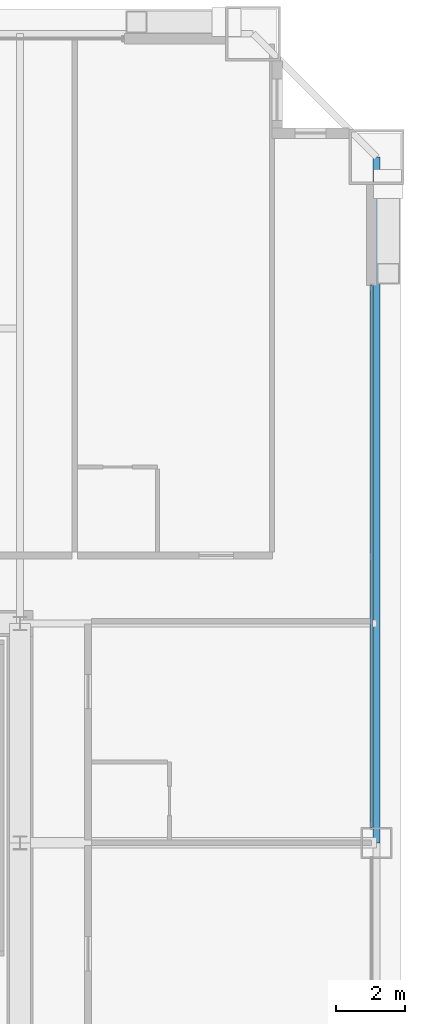
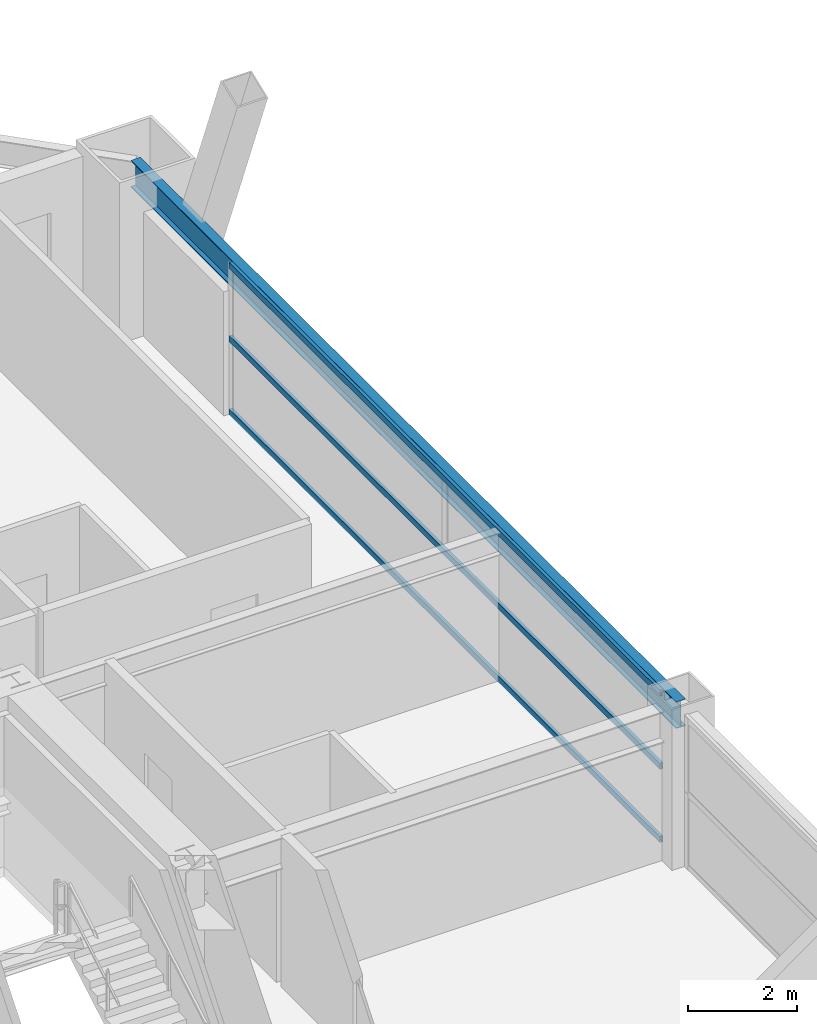
# One storey, part 32 of 42: 3 members, 1 beam, 1 element without a shape of its own.
"""IFC4 building model written with IfcOpenShell, lengths in metres."""

from ifc_helpers import new_model, si_unit, direction, frame, origin, origin_2d, place, context, subcontext, project, spatial, hollow_rectangle, i_section, extrude, source, transform, mapped, material, layer, layer_set, material_profile, profile_set, type_object, element, aggregate, save


model = new_model("IFC4")

# Units and contexts
model_context = context("Model", 3, precision=1e-05, world=origin(), true_north=direction((0.0, 1.0)))
body_context = subcontext(model_context, "Body", "Model", "MODEL_VIEW")
ifc_project = project(units=[si_unit("LENGTHUNIT", "METRE"), si_unit("AREAUNIT", "SQUARE_METRE"), si_unit("VOLUMEUNIT", "CUBIC_METRE"), si_unit("PLANEANGLEUNIT", "RADIAN"), si_unit("MASSUNIT", "GRAM", prefix="KILO"), si_unit("THERMODYNAMICTEMPERATUREUNIT", "KELVIN"), si_unit("POWERUNIT", "WATT")], contexts=[model_context])

# Site, building, storey
site_placement = place(None, origin())
site = spatial("IfcSite", under=ifc_project, at=site_placement, CompositionType="ELEMENT")
building_placement = place(site_placement, origin())
building = spatial("IfcBuilding", under=site, at=building_placement, Name="Yuzanri Waterfront Tower", CompositionType="ELEMENT")
storey_placement = place(building_placement, frame((0.0, 0.0, 145.199951171875)))
storey = spatial("IfcBuildingStorey", under=building, at=storey_placement, Name="L38", CompositionType="ELEMENT", Elevation=145.199951171875)

# Beam
ifc_material_1 = material(Name="Steel Q355B", Category="steel")
ifc_material_profile_1 = material_profile(ifc_material_1, i_section(OverallWidth=0.199951171875, OverallDepth=0.60009765625, WebThickness=0.010986328125, FlangeThickness=0.01708984375, at=origin_2d()), Name="HN 600x200x11x17")
ifc_profile_set_1 = profile_set([ifc_material_profile_1], Name="Steel Q355B")
beam_type = type_object("IfcBeamType", Name="Perimeter Spandrel Q355B HN 600x200", PredefinedType="SPANDREL", material=ifc_profile_set_1)
shared_shape_1 = source(origin(), body_context, "Body", "SweptSolid", [
    extrude(i_section(OverallWidth=0.199951171875, OverallDepth=0.60009765625, WebThickness=0.010986328125, FlangeThickness=0.01708984375, at=origin_2d()), origin(), (0.0, 0.0, 1.0), 20.0),
])
beam_placement = place(storey_placement, frame((60.60009765625, 25.800048828125, 3.080078125), z_axis=(0.0, 1.0, 0.0), x_axis=(-1.0, 0.0, 0.0)))
element("IfcBeam", 1, at=beam_placement, inside=storey, type_object=beam_type, Name="L38 Perimeter Spandrel E2-E3", PredefinedType="SPANDREL", context=body_context, shape_type="MappedRepresentation", body=[
    mapped(shared_shape_1, transform((0.0, 0.0, 0.0), scale=1.0)),
])

# Curtain wall, members
ifc_material_2 = material(Name="Anodized Architectural Bronze", Category="metal")
ifc_layer = layer(ifc_material_2, 0.159912109375)
ifc_layer_set = layer_set([ifc_layer], Name="Anodized Architectural Bronze")
curtain_wall_type = type_object("IfcCurtainWallType", Name="Anodized Bronze Hotel Upper-Tier Solar-Control Unitized Curtain Wall 7800", PredefinedType="NOTDEFINED", material=ifc_layer_set)
curtain_wall_placement = place(storey_placement, origin())
curtain_wall = element("IfcCurtainWall", 2, at=curtain_wall_placement, inside=storey, type_object=curtain_wall_type, Name="L38 Curtain Wall CW-L38-ER", PredefinedType="NOTDEFINED")
ifc_material_3 = material(Name="Anodized Architectural Bronze", Category="metal")
ifc_material_profile_2 = material_profile(ifc_material_3, hollow_rectangle(XDim=0.070068359375, YDim=0.135009765625, WallThickness=0.00341796875, at=origin_2d()), Name="CWT 70x135")
ifc_profile_set_2 = profile_set([ifc_material_profile_2], Name="Anodized Architectural Bronze")
member_type = type_object("IfcMemberType", Name="Anodized Bronze Standard Curtain-Wall Transom 70x135", PredefinedType="USERDEFINED", material=ifc_profile_set_2)
shared_shape_2 = source(origin(), body_context, "Body", "SweptSolid", [
    extrude(hollow_rectangle(XDim=0.070068359375, YDim=0.135009765625, WallThickness=0.00341796875, at=origin_2d()), origin(), (0.0, 0.0, 1.0), 15.800048828125),
])
member_1_placement = place(storey_placement, frame((60.449951171875, 26.25, 0.050048828125), z_axis=(0.0, 1.0, 0.0), x_axis=(-1.0, 0.0, 0.0)))
member_1 = element("IfcMember", 3, at=member_1_placement, type_object=member_type, Name="CW-L38-ER Transom 1", ObjectType="TRANSOM", PredefinedType="USERDEFINED", context=body_context, shape_type="MappedRepresentation", body=[
    mapped(shared_shape_2, transform((0.0, 0.0, 0.0), scale=1.0)),
])
member_2_placement = place(storey_placement, frame((60.449951171875, 26.25, 1.68994140625), z_axis=(0.0, 1.0, 0.0), x_axis=(-1.0, 0.0, 0.0)))
member_2 = element("IfcMember", 4, at=member_2_placement, type_object=member_type, Name="CW-L38-ER Transom 2", ObjectType="TRANSOM", PredefinedType="USERDEFINED", context=body_context, shape_type="MappedRepresentation", body=[
    mapped(shared_shape_2, transform((0.0, 0.0, 0.0), scale=1.0)),
])
member_3_placement = place(storey_placement, frame((60.449951171875, 26.25, 3.330078125), z_axis=(0.0, 1.0, 0.0), x_axis=(-1.0, 0.0, 0.0)))
member_3 = element("IfcMember", 5, at=member_3_placement, type_object=member_type, Name="CW-L38-ER Transom 3", ObjectType="TRANSOM", PredefinedType="USERDEFINED", context=body_context, shape_type="MappedRepresentation", body=[
    mapped(shared_shape_2, transform((0.0, 0.0, 0.0), scale=1.0)),
])
aggregate(curtain_wall, [member_1, member_2, member_3])

save(model, "model.ifc")
